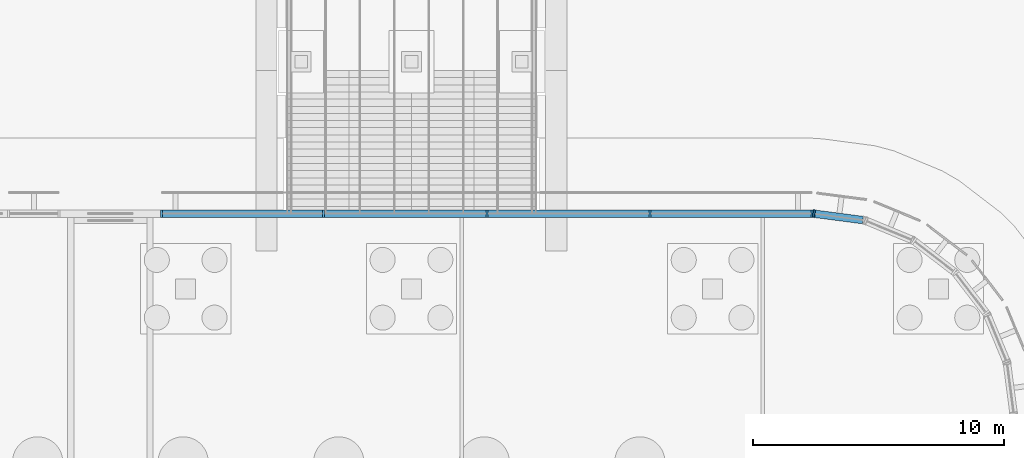
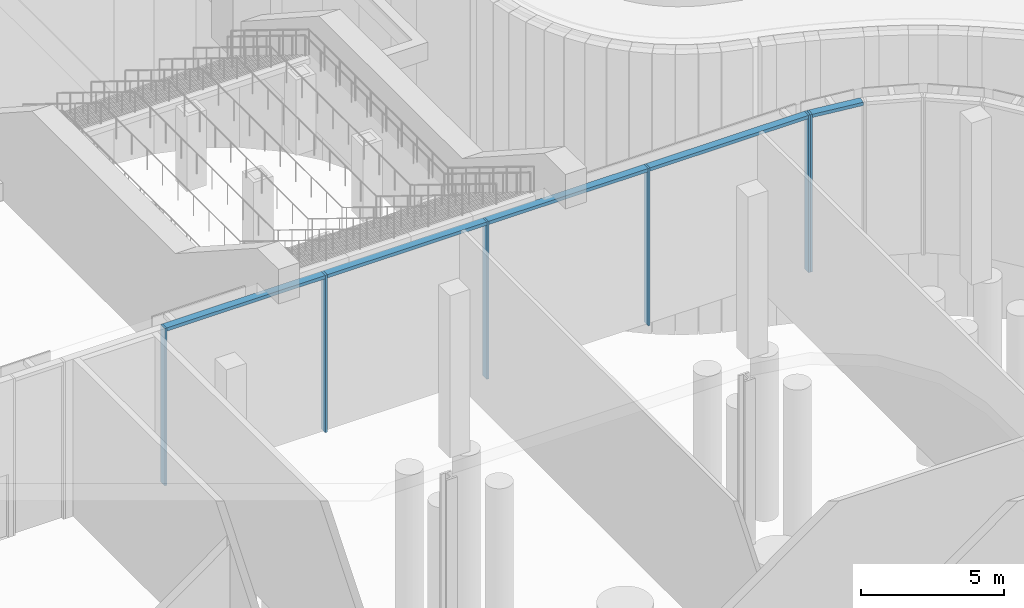
# One storey, part 11 of 48: 11 members, 2 elements without a shape of their own.
"""IFC4 building model written with IfcOpenShell, lengths in metres."""

from ifc_helpers import new_model, si_unit, direction, frame, origin, origin_2d, place, context, subcontext, project, spatial, rectangle, extrude, material, material_profile, profile_set, type_object, element, aggregate, save


model = new_model("IFC4")

# Units and contexts
model_context = context("Model", 3, precision=1e-05, world=origin(), true_north=direction((0.0, 1.0)))
body_context = subcontext(model_context, "Body", "Model", "MODEL_VIEW")
ifc_project = project(units=[si_unit("LENGTHUNIT", "METRE"), si_unit("AREAUNIT", "SQUARE_METRE"), si_unit("VOLUMEUNIT", "CUBIC_METRE"), si_unit("PLANEANGLEUNIT", "RADIAN"), si_unit("MASSUNIT", "GRAM", prefix="KILO")], contexts=[model_context])

# Site, building, storey
site_placement = place(None, origin())
site = spatial("IfcSite", under=ifc_project, at=site_placement, CompositionType="ELEMENT")
building_placement = place(site_placement, origin())
building = spatial("IfcBuilding", under=site, at=building_placement, Name="Mahtab Terrace Research Tower", CompositionType="ELEMENT")
storey_placement = place(building_placement, origin())
storey = spatial("IfcBuildingStorey", under=building, at=storey_placement, Name="G", CompositionType="ELEMENT", Elevation=0.0)

# Curtain wall, member
ifc_material_1 = material(Name="Ground lobby curtain wall")
curtain_wall_type = type_object("IfcCurtainWallType", Name="Ground lobby curtain wall", PredefinedType="NOTDEFINED", material=ifc_material_1)
curtain_wall_1_placement = place(storey_placement, origin())
curtain_wall_1 = element("IfcCurtainWall", 1, at=curtain_wall_1_placement, inside=storey, type_object=curtain_wall_type, Name="EN.G.4.0", PredefinedType="NOTDEFINED")
ifc_material_2 = material(Name="Natural anodised aluminium", Category="aluminium")
ifc_material_profile_1 = material_profile(ifc_material_2, rectangle(XDim=0.300048828125, YDim=0.080078125, at=origin_2d()), Name="MULLION 80x300")
ifc_profile_set_1 = profile_set([ifc_material_profile_1], Name="Natural anodised aluminium")
member_type_1 = type_object("IfcMemberType", Name="Ground lobby curtain wall mullion", PredefinedType="MULLION", material=ifc_profile_set_1)
member_1_placement = place(storey_placement, frame((52.03955078125, 35.994873046875, 0.0), z_axis=(0.0, 0.0, 1.0), x_axis=(-0.130689793992, -0.991423309059, 0.0)))
member_1 = element("IfcMember", 2, at=member_1_placement, type_object=member_type_1, Name="CWG-1 mullion 2", PredefinedType="MULLION", context=body_context, shape_type="SweptSolid", body=[
    extrude(rectangle(XDim=0.300048828125, YDim=0.080078125, at=origin_2d()), origin(), (0.0, 0.0, 1.0), 6.699951171875),
])

# Curtain wall, members
curtain_wall_2_placement = place(storey_placement, origin())
curtain_wall_2 = element("IfcCurtainWall", 3, at=curtain_wall_2_placement, inside=storey, type_object=curtain_wall_type, Name="EN.G.5.0", PredefinedType="NOTDEFINED")
member_2_placement = place(storey_placement, frame((51.9599609375, 36.0, 0.0), z_axis=(0.0, 0.0, 1.0), x_axis=(0.0, -1.0, 0.0)))
member_2 = element("IfcMember", 4, at=member_2_placement, type_object=member_type_1, Name="CWG-1 mullion 1", PredefinedType="MULLION", context=body_context, shape_type="SweptSolid", body=[
    extrude(rectangle(XDim=0.300048828125, YDim=0.080078125, at=origin_2d()), origin(), (0.0, 0.0, 1.0), 6.699951171875),
])
member_3_placement = place(storey_placement, frame((45.5, 36.0, 0.0), z_axis=(0.0, 0.0, 1.0), x_axis=(0.0, -1.0, 0.0)))
member_3 = element("IfcMember", 5, at=member_3_placement, type_object=member_type_1, Name="CWG-1 mullion 2", PredefinedType="MULLION", context=body_context, shape_type="SweptSolid", body=[
    extrude(rectangle(XDim=0.300048828125, YDim=0.080078125, at=origin_2d()), origin(), (0.0, 0.0, 1.0), 6.699951171875),
])
member_4_placement = place(storey_placement, frame((39.0, 36.0, 0.0), z_axis=(0.0, 0.0, 1.0), x_axis=(0.0, -1.0, 0.0)))
member_4 = element("IfcMember", 6, at=member_4_placement, type_object=member_type_1, Name="CWG-1 mullion 3", PredefinedType="MULLION", context=body_context, shape_type="SweptSolid", body=[
    extrude(rectangle(XDim=0.300048828125, YDim=0.080078125, at=origin_2d()), origin(), (0.0, 0.0, 1.0), 6.699951171875),
])
member_5_placement = place(storey_placement, frame((32.5, 36.0, 0.0), z_axis=(0.0, 0.0, 1.0), x_axis=(0.0, -1.0, 0.0)))
member_5 = element("IfcMember", 7, at=member_5_placement, type_object=member_type_1, Name="CWG-1 mullion 4", PredefinedType="MULLION", context=body_context, shape_type="SweptSolid", body=[
    extrude(rectangle(XDim=0.300048828125, YDim=0.080078125, at=origin_2d()), origin(), (0.0, 0.0, 1.0), 6.699951171875),
])
member_6_placement = place(storey_placement, frame((26.0400390625, 36.0, 0.0), z_axis=(0.0, 0.0, 1.0), x_axis=(0.0, -1.0, 0.0)))
member_6 = element("IfcMember", 8, at=member_6_placement, type_object=member_type_1, Name="CWG-1 mullion 5", PredefinedType="MULLION", context=body_context, shape_type="SweptSolid", body=[
    extrude(rectangle(XDim=0.300048828125, YDim=0.080078125, at=origin_2d()), origin(), (0.0, 0.0, 1.0), 6.699951171875),
])

# Member
ifc_material_profile_2 = material_profile(ifc_material_2, rectangle(XDim=0.300048828125, YDim=0.139892578125, at=origin_2d()), Name="TRANSOM 140x300")
ifc_profile_set_2 = profile_set([ifc_material_profile_2], Name="Natural anodised aluminium")
member_type_2 = type_object("IfcMemberType", Name="Ground lobby curtain wall transom", PredefinedType="USERDEFINED", material=ifc_profile_set_2)
member_7_placement = place(storey_placement, frame((53.99169921875, 35.737548828125, 6.6298828125), z_axis=(-0.991432310304, 0.130621491668, 0.0), x_axis=(-0.130621491668, -0.991432310304, 0.0)))
member_7 = element("IfcMember", 9, at=member_7_placement, type_object=member_type_2, Name="CWG-1 transom 1", ObjectType="TRANSOM", PredefinedType="USERDEFINED", context=body_context, shape_type="SweptSolid", body=[
    extrude(rectangle(XDim=0.300048828125, YDim=0.139892578125, at=origin_2d()), origin(), (0.0, 0.0, 1.0), 1.928955078125),
])

aggregate(curtain_wall_1, [member_1, member_7])

member_8_placement = place(storey_placement, frame((51.919921875, 36.0, 6.6298828125), z_axis=(-1.0, 0.0, 0.0), x_axis=(0.0, -1.0, 0.0)))
member_8 = element("IfcMember", 10, at=member_8_placement, type_object=member_type_2, Name="CWG-1 transom 1", ObjectType="TRANSOM", PredefinedType="USERDEFINED", context=body_context, shape_type="SweptSolid", body=[
    extrude(rectangle(XDim=0.300048828125, YDim=0.139892578125, at=origin_2d()), origin(), (0.0, 0.0, 1.0), 6.3798828125),
])

member_9_placement = place(storey_placement, frame((45.4599609375, 36.0, 6.6298828125), z_axis=(-1.0, 0.0, 0.0), x_axis=(0.0, -1.0, 0.0)))
member_9 = element("IfcMember", 11, at=member_9_placement, type_object=member_type_2, Name="CWG-1 transom 2", ObjectType="TRANSOM", PredefinedType="USERDEFINED", context=body_context, shape_type="SweptSolid", body=[
    extrude(rectangle(XDim=0.300048828125, YDim=0.139892578125, at=origin_2d()), origin(), (0.0, 0.0, 1.0), 6.419921875),
])

member_10_placement = place(storey_placement, frame((38.9599609375, 36.0, 6.6298828125), z_axis=(-1.0, 0.0, 0.0), x_axis=(0.0, -1.0, 0.0)))
member_10 = element("IfcMember", 12, at=member_10_placement, type_object=member_type_2, Name="CWG-1 transom 3", ObjectType="TRANSOM", PredefinedType="USERDEFINED", context=body_context, shape_type="SweptSolid", body=[
    extrude(rectangle(XDim=0.300048828125, YDim=0.139892578125, at=origin_2d()), origin(), (0.0, 0.0, 1.0), 6.419921875),
])

member_11_placement = place(storey_placement, frame((32.4599609375, 36.0, 6.6298828125), z_axis=(-1.0, 0.0, 0.0), x_axis=(0.0, -1.0, 0.0)))
member_11 = element("IfcMember", 13, at=member_11_placement, type_object=member_type_2, Name="CWG-1 transom 4", ObjectType="TRANSOM", PredefinedType="USERDEFINED", context=body_context, shape_type="SweptSolid", body=[
    extrude(rectangle(XDim=0.300048828125, YDim=0.139892578125, at=origin_2d()), origin(), (0.0, 0.0, 1.0), 6.3798828125),
])

aggregate(curtain_wall_2, [member_2, member_3, member_4, member_5, member_6, member_8, member_9, member_10, member_11])

save(model, "model.ifc")
